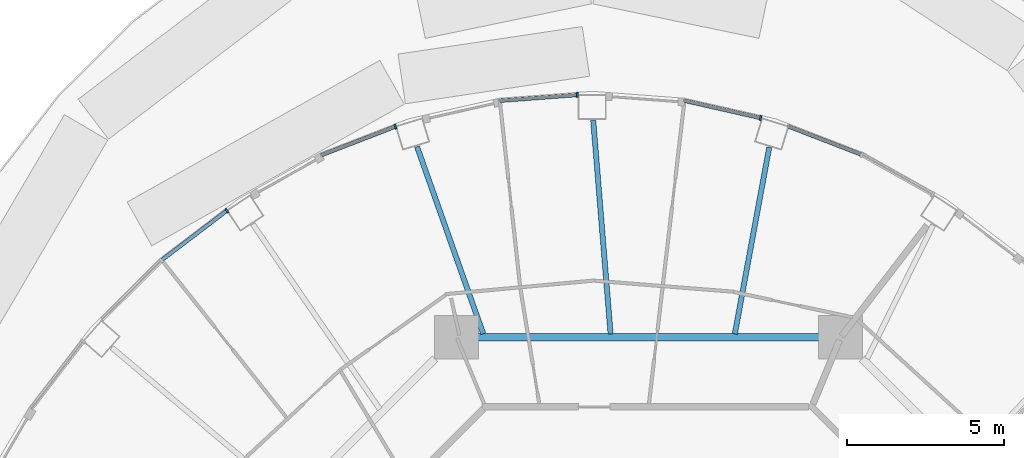
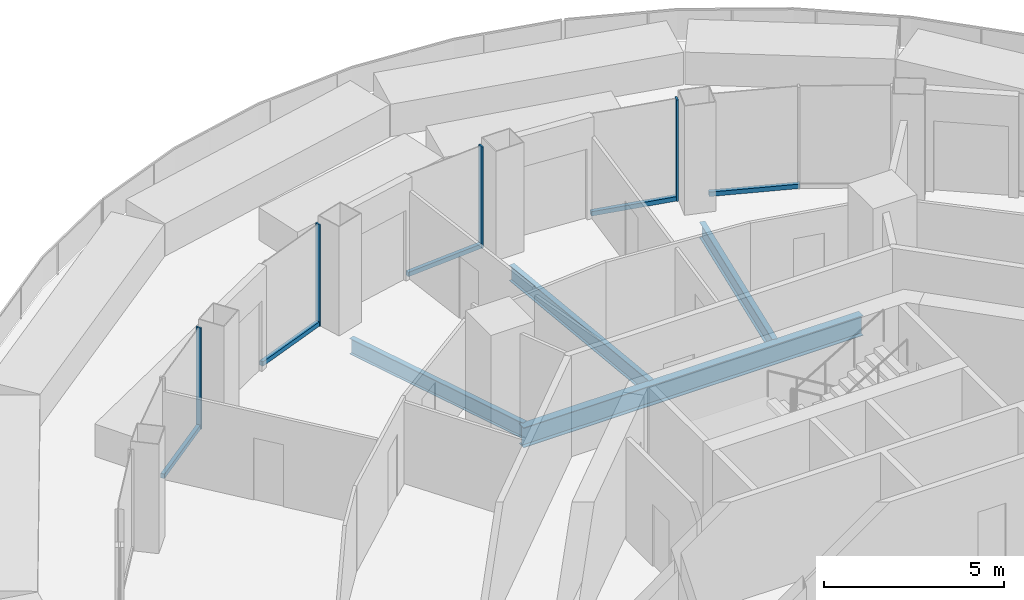
# One storey, part 6 of 17: 9 members, 4 beams, 5 elements without a shape of their own.
"""IFC4 building model written with IfcOpenShell, lengths in metres."""

from ifc_helpers import new_model, si_unit, direction, frame, origin, origin_2d, place, context, subcontext, project, spatial, rectangle, i_section, extrude, material, layer, layer_set, material_profile, profile_set, type_object, element, aggregate, save


model = new_model("IFC4")

# Units and contexts
model_context = context("Model", 3, precision=1e-05, world=origin(), true_north=direction((0.0, 1.0)))
body_context = subcontext(model_context, "Body", "Model", "MODEL_VIEW")
ifc_project = project(units=[si_unit("LENGTHUNIT", "METRE"), si_unit("AREAUNIT", "SQUARE_METRE"), si_unit("VOLUMEUNIT", "CUBIC_METRE"), si_unit("PLANEANGLEUNIT", "RADIAN"), si_unit("MASSUNIT", "GRAM", prefix="KILO")], contexts=[model_context])

# Site, building, storey
site_placement = place(None, origin())
site = spatial("IfcSite", under=ifc_project, at=site_placement, CompositionType="ELEMENT")
building_placement = place(site_placement, origin())
building = spatial("IfcBuilding", under=site, at=building_placement, Name="Nagisa Residences", CompositionType="ELEMENT")
storey_placement = place(building_placement, frame((0.0, 0.0, 258.5)))
storey = spatial("IfcBuildingStorey", under=building, at=storey_placement, Name="L65", CompositionType="ELEMENT", Elevation=258.5)

# Curtain wall, member
ifc_material_1 = material(Name="Concrete-coloured aluminium curtain wall system", Category="concrete")
ifc_layer = layer(ifc_material_1, 0.159912109375)
ifc_layer_set = layer_set([ifc_layer], Name="CW1 CURTAIN WALL")
curtain_wall_type = type_object("IfcCurtainWallType", Name="CW1 CURTAIN WALL", PredefinedType="NOTDEFINED", material=ifc_layer_set)
curtain_wall_1_placement = place(storey_placement, origin())
curtain_wall_1 = element("IfcCurtainWall", 1, at=curtain_wall_1_placement, inside=storey, type_object=curtain_wall_type, Name="cw:CW1:L65:10", PredefinedType="NOTDEFINED")
ifc_material_2 = material(Name="Concrete-coloured aluminium", Category="concrete")
ifc_material_profile_1 = material_profile(ifc_material_2, rectangle(XDim=0.159912109375, YDim=0.06005859375, at=origin_2d()), Name="CW1 MULLION 160x60")
ifc_profile_set_1 = profile_set([ifc_material_profile_1], Name="Concrete-coloured aluminium")
member_type_1 = type_object("IfcMemberType", Name="CW1 MULLION 160x60", PredefinedType="MULLION", material=ifc_profile_set_1)
member_1_placement = place(storey_placement, frame((3.568603515625, 21.773193359375, 0.0), z_axis=(0.0, 0.0, 1.0), x_axis=(-0.2207639201, -0.975327274089, 0.0)))
member_1 = element("IfcMember", 2, at=member_1_placement, type_object=member_type_1, Name="CW1 mullion", PredefinedType="MULLION", context=body_context, shape_type="SweptSolid", body=[
    extrude(rectangle(XDim=0.159912109375, YDim=0.06005859375, at=origin_2d()), origin(), (0.0, 0.0, 1.0), 3.43994140625),
])

curtain_wall_2_placement = place(storey_placement, origin())
curtain_wall_2 = element("IfcCurtainWall", 3, at=curtain_wall_2_placement, inside=storey, type_object=curtain_wall_type, Name="cw:CW1:L65:12", PredefinedType="NOTDEFINED")
member_2_placement = place(storey_placement, frame((-2.272705078125, 22.5068359375, 0.0), z_axis=(0.0, 0.0, 1.0), x_axis=(0.074377355493, -0.997230168512, 0.0)))
member_2 = element("IfcMember", 4, at=member_2_placement, type_object=member_type_1, Name="CW1 mullion", PredefinedType="MULLION", context=body_context, shape_type="SweptSolid", body=[
    extrude(rectangle(XDim=0.159912109375, YDim=0.06005859375, at=origin_2d()), origin(), (0.0, 0.0, 1.0), 3.43994140625),
])

curtain_wall_3_placement = place(storey_placement, origin())
curtain_wall_3 = element("IfcCurtainWall", 5, at=curtain_wall_3_placement, inside=storey, type_object=curtain_wall_type, Name="cw:CW1:L65:14", PredefinedType="NOTDEFINED")
member_3_placement = place(storey_placement, frame((-8.073486328125, 21.49755859375, 0.0), z_axis=(0.0, 0.0, 1.0), x_axis=(0.360327770268, -0.932825759707, 0.0)))
member_3 = element("IfcMember", 6, at=member_3_placement, type_object=member_type_1, Name="CW1 mullion", PredefinedType="MULLION", context=body_context, shape_type="SweptSolid", body=[
    extrude(rectangle(XDim=0.159912109375, YDim=0.06005859375, at=origin_2d()), origin(), (0.0, 0.0, 1.0), 3.43994140625),
])

curtain_wall_4_placement = place(storey_placement, origin())
curtain_wall_4 = element("IfcCurtainWall", 7, at=curtain_wall_4_placement, inside=storey, type_object=curtain_wall_type, Name="cw:CW1:L65:16", PredefinedType="NOTDEFINED")
member_4_placement = place(storey_placement, frame((-13.443603515625, 18.819580078125, 0.0), z_axis=(0.0, 0.0, 1.0), x_axis=(0.605255421737, -0.79603132756, 0.0)))
member_4 = element("IfcMember", 8, at=member_4_placement, type_object=member_type_1, Name="CW1 mullion", PredefinedType="MULLION", context=body_context, shape_type="SweptSolid", body=[
    extrude(rectangle(XDim=0.159912109375, YDim=0.06005859375, at=origin_2d()), origin(), (0.0, 0.0, 1.0), 3.43994140625),
])

curtain_wall_5_placement = place(storey_placement, origin())
curtain_wall_5 = element("IfcCurtainWall", 9, at=curtain_wall_5_placement, inside=storey, type_object=curtain_wall_type, Name="cw:CW1:L65:09", PredefinedType="NOTDEFINED")
ifc_material_3 = material(Name="Concrete-coloured aluminium", Category="concrete")
ifc_material_profile_2 = material_profile(ifc_material_3, rectangle(XDim=0.1201171875, YDim=0.14990234375, at=origin_2d()), Name="CW1 TRANSOM 120x150")
ifc_profile_set_2 = profile_set([ifc_material_profile_2], Name="Concrete-coloured aluminium")
member_type_2 = type_object("IfcMemberType", Name="CW1 TRANSOM 120x150", PredefinedType="USERDEFINED", material=ifc_profile_set_2)
member_5_placement = place(storey_placement, frame((6.827392578125, 20.58837890625, 0.074951171875), z_axis=(-0.93282223778, 0.360336887792, 0.0), x_axis=(-0.360336887792, -0.93282223778, 0.0)))
member_5 = element("IfcMember", 10, at=member_5_placement, type_object=member_type_2, Name="CW1 transom", ObjectType="TRANSOM", PredefinedType="USERDEFINED", context=body_context, shape_type="SweptSolid", body=[
    extrude(rectangle(XDim=0.1201171875, YDim=0.14990234375, at=origin_2d()), origin(), (0.0, 0.0, 1.0), 2.5537109375),
])
aggregate(curtain_wall_5, [member_5])

# Member
member_6_placement = place(storey_placement, frame((3.597900390625, 21.7666015625, 0.074951171875), z_axis=(-0.975340398222, 0.220705930136, 0.0), x_axis=(-0.220705930136, -0.975340398222, 0.0)))
member_6 = element("IfcMember", 11, at=member_6_placement, type_object=member_type_2, Name="CW1 transom", ObjectType="TRANSOM", PredefinedType="USERDEFINED", context=body_context, shape_type="SweptSolid", body=[
    extrude(rectangle(XDim=0.1201171875, YDim=0.14990234375, at=origin_2d()), origin(), (0.0, 0.0, 1.0), 2.525390625),
])

aggregate(curtain_wall_1, [member_1, member_6])

member_7_placement = place(storey_placement, frame((-2.242919921875, 22.509033203125, 0.074951171875), z_axis=(-0.99722914645, -0.074391057731, 0.0), x_axis=(0.074391057731, -0.99722914645, 0.0)))
member_7 = element("IfcMember", 12, at=member_7_placement, type_object=member_type_2, Name="CW1 transom", ObjectType="TRANSOM", PredefinedType="USERDEFINED", context=body_context, shape_type="SweptSolid", body=[
    extrude(rectangle(XDim=0.1201171875, YDim=0.14990234375, at=origin_2d()), origin(), (0.0, 0.0, 1.0), 2.510498046875),
])

aggregate(curtain_wall_2, [member_2, member_7])

member_8_placement = place(storey_placement, frame((-8.04541015625, 21.508544921875, 0.074951171875), z_axis=(-0.93282223778, -0.360336887792, 0.0), x_axis=(0.360336887792, -0.93282223778, 0.0)))
member_8 = element("IfcMember", 13, at=member_8_placement, type_object=member_type_2, Name="CW1 transom", ObjectType="TRANSOM", PredefinedType="USERDEFINED", context=body_context, shape_type="SweptSolid", body=[
    extrude(rectangle(XDim=0.1201171875, YDim=0.14990234375, at=origin_2d()), origin(), (0.0, 0.0, 1.0), 2.5537109375),
])

aggregate(curtain_wall_3, [member_3, member_8])

member_9_placement = place(storey_placement, frame((-13.419677734375, 18.837646484375, 0.074951171875), z_axis=(-0.796055284084, -0.605223912847, 0.0), x_axis=(0.605223912847, -0.796055284084, 0.0)))
member_9 = element("IfcMember", 14, at=member_9_placement, type_object=member_type_2, Name="CW1 transom", ObjectType="TRANSOM", PredefinedType="USERDEFINED", context=body_context, shape_type="SweptSolid", body=[
    extrude(rectangle(XDim=0.1201171875, YDim=0.14990234375, at=origin_2d()), origin(), (0.0, 0.0, 1.0), 2.640625),
])

aggregate(curtain_wall_4, [member_4, member_9])

# Beams
ifc_material_4 = material(Name="Steel ASTM A572 Gr 50", Category="steel")
ifc_material_profile_3 = material_profile(ifc_material_4, i_section(OverallWidth=0.2529296875, OverallDepth=0.677978515625, WebThickness=0.01171875, FlangeThickness=0.016357421875, at=origin_2d()), Name="W690x125")
ifc_profile_set_3 = profile_set([ifc_material_profile_3], Name="Steel ASTM A572 Gr 50")
beam_type_1 = type_object("IfcBeamType", Name="Inner ring beam W690x125", PredefinedType="BEAM", material=ifc_profile_set_3)
beam_1_placement = place(storey_placement, frame((5.44287109375, 14.781982421875, -0.59912109375), z_axis=(-1.0, 0.0, 0.0), x_axis=(0.0, -1.0, 0.0)))
element("IfcBeam", 15, at=beam_1_placement, inside=storey, type_object=beam_type_1, Name="beam:L65:ib2", PredefinedType="BEAM", context=body_context, shape_type="SweptSolid", body=[
    extrude(i_section(OverallWidth=0.2529296875, OverallDepth=0.677978515625, WebThickness=0.01171875, FlangeThickness=0.016357421875, at=origin_2d()), origin(), (0.0, 0.0, 1.0), 10.8857421875),
])
ifc_material_5 = material(Name="Steel ASTM A572 Gr 50", Category="steel")
ifc_material_profile_4 = material_profile(ifc_material_5, i_section(OverallWidth=0.166015625, OverallDepth=0.534912109375, WebThickness=0.01025390625, FlangeThickness=0.0166015625, at=origin_2d()), Name="W530x85")
ifc_profile_set_4 = profile_set([ifc_material_profile_4], Name="Steel ASTM A572 Gr 50")
beam_type_2 = type_object("IfcBeamType", Name="Radial beam W530x85", PredefinedType="BEAM", material=ifc_profile_set_4)
beam_2_placement = place(storey_placement, frame((3.846435546875, 20.836669921875, -0.527587890625), z_axis=(-0.181524058308, -0.983386504003, 0.0), x_axis=(0.983386504003, -0.181524058308, 0.0)))
element("IfcBeam", 16, at=beam_2_placement, inside=storey, type_object=beam_type_2, Name="beam:L65:rb06", PredefinedType="BEAM", context=body_context, shape_type="SweptSolid", body=[
    extrude(i_section(OverallWidth=0.166015625, OverallDepth=0.534912109375, WebThickness=0.01025390625, FlangeThickness=0.0166015625, at=origin_2d()), origin(), (0.0, 0.0, 1.0), 6.04833984375),
])
beam_3_placement = place(storey_placement, frame((-1.764892578125, 21.692138671875, -0.527587890625), z_axis=(0.081082843423, -0.99670736553, 0.0), x_axis=(0.99670736553, 0.081082843423, 0.0)))
element("IfcBeam", 17, at=beam_3_placement, inside=storey, type_object=beam_type_2, Name="beam:L65:rb07", PredefinedType="BEAM", context=body_context, shape_type="SweptSolid", body=[
    extrude(i_section(OverallWidth=0.166015625, OverallDepth=0.534912109375, WebThickness=0.01025390625, FlangeThickness=0.0166015625, at=origin_2d()), origin(), (0.0, 0.0, 1.0), 6.825927734375),
])
beam_4_placement = place(storey_placement, frame((-7.38134765625, 20.8564453125, -0.527587890625), z_axis=(0.33361293051, -0.942710142407, 0.0), x_axis=(0.942710142407, 0.33361293051, 0.0)))
element("IfcBeam", 18, at=beam_4_placement, inside=storey, type_object=beam_type_2, Name="beam:L65:rb08", PredefinedType="BEAM", context=body_context, shape_type="SweptSolid", body=[
    extrude(i_section(OverallWidth=0.166015625, OverallDepth=0.534912109375, WebThickness=0.01025390625, FlangeThickness=0.0166015625, at=origin_2d()), origin(), (0.0, 0.0, 1.0), 6.329345703125),
])

save(model, "model.ifc")
